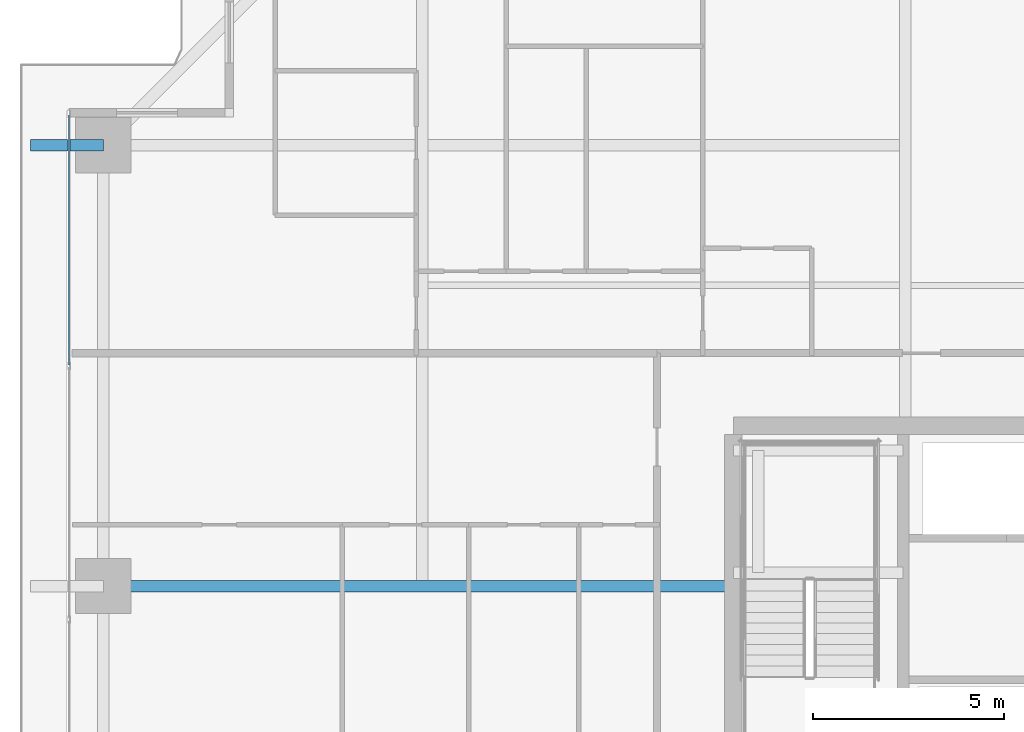
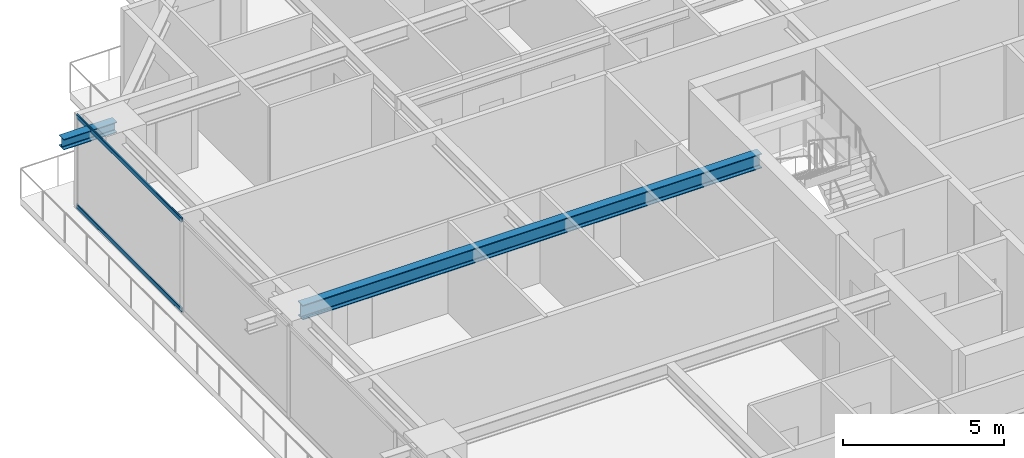
# One storey, part 17 of 39: 2 beams, 2 members, 1 element without a shape of its own.
"""IFC4 building model written with IfcOpenShell, lengths in metres."""

import ifcopenshell
import ifcopenshell.guid

model = None  # the IFC model being written
_history = None  # IfcOwnerHistory: only IFC2X3 demands one
_inside = {}  # id of a spatial element -> (the spatial element, [elements in it])
_under = {}  # id of a project, library or spatial element -> (it, [spatial elements below it])
_declared = {}  # id of a project -> (the project, [libraries it declares])
_typed = {}  # id of a type object -> (the type object, [elements of that type])
_made_of = {}  # id of a material, layer set ... -> (it, [elements and type objects made of it])


def new_model(schema):
    """Start an empty IFC model of exactly this schema.

    Asked for "IFC4X3", IfcOpenShell would pick the latest addendum, in which some entities
    have other attributes; the version numbers below select the first issue.
    IFC2X3 requires an IfcOwnerHistory on every rooted entity: one is made here for all.
    """
    global model, _history
    if schema == "IFC4X3":
        model = ifcopenshell.file(schema_version=(4, 3, 0, 0))
    else:
        model = ifcopenshell.file(schema=schema)
    _inside.clear()
    _under.clear()
    _declared.clear()
    _typed.clear()
    _made_of.clear()
    _history = None
    if model.schema == "IFC2X3":
        org = make("IfcOrganization", Name="unknown")
        user = make(
            "IfcPersonAndOrganization",
            ThePerson=make("IfcPerson", FamilyName="unknown"),
            TheOrganization=org,
        )
        app = make(
            "IfcApplication",
            ApplicationDeveloper=org,
            Version="unknown",
            ApplicationFullName="unknown",
            ApplicationIdentifier="unknown",
        )
        _history = make(
            "IfcOwnerHistory",
            OwningUser=user,
            OwningApplication=app,
            ChangeAction="ADDED",
            CreationDate=0,
        )
    return model


def make(cls, **values):
    """One entity of the class cls with the attributes given. An attribute that is None is left unset."""
    return model.create_entity(
        cls, **{name: value for name, value in values.items() if value is not None}
    )


def rooted(cls, **values):
    """An entity with a GlobalId (a new one), such as an element, a storey or a relation."""
    return make(cls, GlobalId=ifcopenshell.guid.new(), OwnerHistory=_history, **values)


def si_unit(unit_type, name, prefix=None):
    """IfcSIUnit, for example si_unit("LENGTHUNIT", "METRE", prefix="MILLI")."""
    return make("IfcSIUnit", UnitType=unit_type, Prefix=prefix, Name=name)


def assignment(units):
    """IfcUnitAssignment: the units of a project."""
    return None if units is None else make("IfcUnitAssignment", Units=units)


def point(xyz):
    """IfcCartesianPoint."""
    return None if xyz is None else make("IfcCartesianPoint", Coordinates=xyz)


def direction(xyz):
    """IfcDirection."""
    return None if xyz is None else make("IfcDirection", DirectionRatios=xyz)


def frame(location, z_axis=None, x_axis=None):
    """IfcAxis2Placement3D, a coordinate frame: its origin and axes. An axis left out is left unset."""
    return make(
        "IfcAxis2Placement3D",
        Location=point(location),
        Axis=direction(z_axis),
        RefDirection=direction(x_axis),
    )


def frame_2d(location, x_axis=None):
    """IfcAxis2Placement2D, a coordinate frame in the plane: its origin and x axis."""
    return make(
        "IfcAxis2Placement2D", Location=point(location), RefDirection=direction(x_axis)
    )


def origin():
    """The frame at (0, 0, 0) with its axes left unset."""
    return frame((0.0, 0.0, 0.0))


def origin_2d():
    """The frame at (0, 0) in the plane with its x axis left unset."""
    return frame_2d((0.0, 0.0))


def place(relative_to, where):
    """IfcLocalPlacement: puts the frame where relative to a parent placement (None: the world)."""
    return make(
        "IfcLocalPlacement", PlacementRelTo=relative_to, RelativePlacement=where
    )


def context(
    kind, dimensions, precision=None, world=None, true_north=None, identifier=None
):
    """IfcGeometricRepresentationContext, for example the 3D "Model" context."""
    return make(
        "IfcGeometricRepresentationContext",
        ContextIdentifier=identifier,
        ContextType=kind,
        CoordinateSpaceDimension=dimensions,
        Precision=precision,
        WorldCoordinateSystem=world,
        TrueNorth=true_north,
    )


def subcontext(parent, identifier, kind, view, scale=None):
    """IfcGeometricRepresentationSubContext, for example "Body" below "Model"."""
    return make(
        "IfcGeometricRepresentationSubContext",
        ContextIdentifier=identifier,
        ContextType=kind,
        ParentContext=parent,
        TargetScale=scale,
        TargetView=view,
    )


def project(units=None, contexts=None):
    """IfcProject with its units and contexts."""
    return rooted(
        "IfcProject",
        Name="project",
        RepresentationContexts=contexts,
        UnitsInContext=assignment(units),
    )


def spatial(cls, under=None, at=None, **own):
    """A site, building, storey or space (cls), placed at a placement, below another one or the project."""
    s = rooted(cls, ObjectPlacement=at, **own)
    if under is not None:
        _under.setdefault(under.id(), (under, []))[1].append(s)
    return s


def profile(cls, at=None, kind="AREA", **sizes):
    """A parametric profile (cls). Its sizes go by their IFC names, for example OverallWidth=200.0."""
    return make(cls, ProfileType=kind, Position=at, **sizes)


def hollow_rectangle(**sizes):
    """IfcRectangleHollowProfileDef."""
    return profile("IfcRectangleHollowProfileDef", **sizes)


def i_section(**sizes):
    """IfcIShapeProfileDef."""
    return profile("IfcIShapeProfileDef", **sizes)


def extrude(swept, where, along, depth):
    """IfcExtrudedAreaSolid: the profile swept, set in the frame where, extruded along a direction by depth."""
    return make(
        "IfcExtrudedAreaSolid",
        SweptArea=swept,
        Position=where,
        ExtrudedDirection=direction(along),
        Depth=depth,
    )


def shape(context_of_items, identifier, shape_type, items):
    """IfcShapeRepresentation: the items that make up one representation, for example the "Body"."""
    return make(
        "IfcShapeRepresentation",
        ContextOfItems=context_of_items,
        RepresentationIdentifier=identifier,
        RepresentationType=shape_type,
        Items=items,
    )


def source(mapping_origin, context_of_items, identifier, shape_type, items):
    """IfcRepresentationMap: a shape defined once, which mapped items show again and again."""
    return make(
        "IfcRepresentationMap",
        MappingOrigin=mapping_origin,
        MappedRepresentation=shape(context_of_items, identifier, shape_type, items),
    )


def transform(
    local_origin,
    x_axis=None,
    y_axis=None,
    z_axis=None,
    scale=None,
    scale2=None,
    scale3=None,
    uniform=True,
):
    """IfcCartesianTransformationOperator3D, or its non-uniform kind. x_axis, y_axis, z_axis: its Axis1, 2, 3."""
    if uniform:
        return make(
            "IfcCartesianTransformationOperator3D",
            Axis1=direction(x_axis),
            Axis2=direction(y_axis),
            LocalOrigin=point(local_origin),
            Scale=scale,
            Axis3=direction(z_axis),
        )
    return make(
        "IfcCartesianTransformationOperator3DnonUniform",
        Axis1=direction(x_axis),
        Axis2=direction(y_axis),
        LocalOrigin=point(local_origin),
        Scale=scale,
        Axis3=direction(z_axis),
        Scale2=scale2,
        Scale3=scale3,
    )


def mapped(mapping_source, mapping_target):
    """IfcMappedItem: shows the shape of a source again, moved by a transform."""
    return make(
        "IfcMappedItem", MappingSource=mapping_source, MappingTarget=mapping_target
    )


def material(Name=None, Category=None):
    """IfcMaterial."""
    return make("IfcMaterial", Name=Name, Category=Category)


def layer(
    of_material, thickness, ventilated=None, Name=None, Category=None, Priority=None
):
    """IfcMaterialLayer: one layer of a wall or slab, of a material (None: an air gap)."""
    return make(
        "IfcMaterialLayer",
        Material=of_material,
        LayerThickness=thickness,
        IsVentilated=ventilated,
        Name=Name,
        Category=Category,
        Priority=Priority,
    )


def layer_set(layers, Name=None):
    """IfcMaterialLayerSet."""
    return make("IfcMaterialLayerSet", MaterialLayers=layers, LayerSetName=Name)


def material_profile(
    of_material, cross_section, Name=None, Category=None, Priority=None
):
    """IfcMaterialProfile: a cross section and its material."""
    return make(
        "IfcMaterialProfile",
        Name=Name,
        Material=of_material,
        Profile=cross_section,
        Priority=Priority,
        Category=Category,
    )


def profile_set(profiles, Name=None, composite=None):
    """IfcMaterialProfileSet."""
    return make(
        "IfcMaterialProfileSet",
        Name=Name,
        MaterialProfiles=profiles,
        CompositeProfile=composite,
    )


def made_of(thing, what):
    """Note that an element or type object is made of a material, layer set ...; save() writes the relation."""
    if what is not None:
        _made_of.setdefault(what.id(), (what, []))[1].append(thing)
    return thing


def type_object(cls, material=None, **own):
    """A type object (cls), such as IfcWallType, which elements share."""
    return made_of(rooted(cls, **own), material)


def element(
    cls,
    number,
    at=None,
    inside=None,
    cuts=None,
    type_object=None,
    material=None,
    context=None,
    identifier="Body",
    shape_type=None,
    held_by="IfcProductDefinitionShape",
    body=None,
    shapes=None,
    **own,
):
    """One element of the class cls, such as IfcWall. Its Tag is "e" and its number.

    at: its placement. inside: the storey or other place that contains it. cuts: it is an
    opening in that element (IfcRelVoidsElement). A single representation is given by context,
    identifier, shape_type and body (its items); several are given by shapes. held_by: the class
    of the entity that holds the representations. save() writes the other relations.
    """
    e = rooted(cls, Tag="e%d" % number, ObjectPlacement=at, **own)
    if body is not None:
        shapes = [shape(context, identifier, shape_type, body)]
    if shapes is not None:
        e.Representation = make(held_by, Representations=shapes)
    if inside is not None:
        _inside.setdefault(inside.id(), (inside, []))[1].append(e)
    if cuts is not None:
        rooted(
            "IfcRelVoidsElement", RelatingBuildingElement=cuts, RelatedOpeningElement=e
        )
    if type_object is not None:
        _typed.setdefault(type_object.id(), (type_object, []))[1].append(e)
    return made_of(e, material)


def aggregate(whole, parts):
    """IfcRelAggregates: a whole, such as a stair, and the parts it consists of."""
    return rooted("IfcRelAggregates", RelatingObject=whole, RelatedObjects=parts)


def save(model, path):
    """Write the relations noted so far, then the file.

    IfcRelAggregates (storeys below a building ...), IfcRelContainedInSpatialStructure (elements
    in a storey), IfcRelDefinesByType, IfcRelAssociatesMaterial and IfcRelDeclares: one each for
    every whole, place, type object, material and project.
    """
    for whole, parts in _under.values():
        aggregate(whole, parts)
    for where, things in _inside.values():
        rooted(
            "IfcRelContainedInSpatialStructure",
            RelatedElements=things,
            RelatingStructure=where,
        )
    for kind, things in _typed.values():
        rooted("IfcRelDefinesByType", RelatedObjects=things, RelatingType=kind)
    for what, things in _made_of.values():
        rooted("IfcRelAssociatesMaterial", RelatedObjects=things, RelatingMaterial=what)
    for by, libraries in _declared.values():
        rooted("IfcRelDeclares", RelatingContext=by, RelatedDefinitions=libraries)
    model.write(path)


model = new_model("IFC4")

# Units and contexts
model_context = context("Model", 3, precision=1e-05, world=origin(), true_north=direction((0.0, 1.0)))
body_context = subcontext(model_context, "Body", "Model", "MODEL_VIEW")
ifc_project = project(units=[si_unit("LENGTHUNIT", "METRE"), si_unit("AREAUNIT", "SQUARE_METRE"), si_unit("VOLUMEUNIT", "CUBIC_METRE"), si_unit("PLANEANGLEUNIT", "RADIAN"), si_unit("MASSUNIT", "GRAM", prefix="KILO")], contexts=[model_context])

# Site, building, storey
site_placement = place(None, origin())
site = spatial("IfcSite", under=ifc_project, at=site_placement, CompositionType="ELEMENT")
building_placement = place(site_placement, origin())
building = spatial("IfcBuilding", under=site, at=building_placement, Name="Serunith Strait Residences", CompositionType="ELEMENT")
storey_placement = place(building_placement, frame((0.0, 0.0, 64.199951171875)))
storey = spatial("IfcBuildingStorey", under=building, at=storey_placement, Name="L15", CompositionType="ELEMENT", Elevation=64.199951171875)

# Beams
ifc_material_1 = material(Name="Steel S355J2", Category="steel")
ifc_material_profile_1 = material_profile(ifc_material_1, i_section(OverallWidth=0.300048828125, OverallDepth=0.550048828125, WebThickness=0.014892578125, FlangeThickness=0.029052734375, FilletRadius=0.027099609375, at=origin_2d()), Name="HEB 550")
ifc_profile_set_1 = profile_set([ifc_material_profile_1], Name="Steel S355J2")
beam_type_1 = type_object("IfcBeamType", Name="BM-HEB550", PredefinedType="BEAM", material=ifc_profile_set_1)
shared_shape_1 = source(origin(), body_context, "Body", "SweptSolid", [
    extrude(i_section(OverallWidth=0.300048828125, OverallDepth=0.550048828125, WebThickness=0.014892578125, FlangeThickness=0.029052734375, FilletRadius=0.027099609375, at=origin_2d()), origin(), (0.0, 0.0, 1.0), 16.5),
])
beam_1_placement = place(storey_placement, frame((23.39990234375, 29.39990234375, 3.212158203125), z_axis=(-1.0, 0.0, 0.0), x_axis=(0.0, -1.0, 0.0)))
element("IfcBeam", 1, at=beam_1_placement, inside=storey, type_object=beam_type_1, Name="L15 Primary Floor Girder TC-W3", PredefinedType="BEAM", context=body_context, shape_type="MappedRepresentation", body=[
    mapped(shared_shape_1, transform((0.0, 0.0, 0.0), scale=1.0)),
])
ifc_material_profile_2 = material_profile(ifc_material_1, i_section(OverallWidth=0.300048828125, OverallDepth=0.39990234375, WebThickness=0.013427734375, FlangeThickness=0.02392578125, FilletRadius=0.027099609375, at=origin_2d()), Name="HEB 400")
ifc_profile_set_2 = profile_set([ifc_material_profile_2], Name="Steel S355J2")
beam_type_2 = type_object("IfcBeamType", Name="BM-HEB400", PredefinedType="BEAM", material=ifc_profile_set_2)
shared_shape_2 = source(origin(), body_context, "Body", "SweptSolid", [
    extrude(i_section(OverallWidth=0.300048828125, OverallDepth=0.39990234375, WebThickness=0.013427734375, FlangeThickness=0.02392578125, FilletRadius=0.027099609375, at=origin_2d()), origin(), (0.0, 0.0, 1.0), 1.909912109375),
])
beam_2_placement = place(storey_placement, frame((6.89990234375, 40.949951171875, 3.257080078125), z_axis=(-1.0, 0.0, 0.0), x_axis=(0.0, -1.0, 0.0)))
element("IfcBeam", 2, at=beam_2_placement, inside=storey, type_object=beam_type_2, Name="L16 Cantilevered Balcony Rib TC-W4", PredefinedType="BEAM", context=body_context, shape_type="MappedRepresentation", body=[
    mapped(shared_shape_2, transform((0.0, 0.0, 0.0), scale=1.0)),
])

# Curtain wall, members
ifc_material_2 = material(Name="Pale-Champagne Anodised Aluminium", Category="aluminium")
ifc_layer = layer(ifc_material_2, 0.199951171875, Name="Pale-Champagne Anodised Aluminium")
ifc_layer_set = layer_set([ifc_layer], Name="Pale-Champagne Anodised Aluminium")
curtain_wall_type = type_object("IfcCurtainWallType", Name="CW-SYS1", PredefinedType="NOTDEFINED", material=ifc_layer_set)
curtain_wall_placement = place(storey_placement, origin())
curtain_wall = element("IfcCurtainWall", 3, at=curtain_wall_placement, inside=storey, type_object=curtain_wall_type, Name="L15 W Unitised Fritted Curtain Wall", PredefinedType="NOTDEFINED")
ifc_material_profile_3 = material_profile(ifc_material_2, hollow_rectangle(XDim=0.06005859375, YDim=0.159912109375, WallThickness=0.00341796875, InnerFilletRadius=0.00537109375, OuterFilletRadius=0.0087890625, at=origin_2d()), Name="ALU 160x60x3.5")
ifc_profile_set_3 = profile_set([ifc_material_profile_3], Name="Pale-Champagne Anodised Aluminium")
member_type = type_object("IfcMemberType", Name="CW-SYS1-TRAN", PredefinedType="USERDEFINED", material=ifc_profile_set_3)
shared_shape_3 = source(origin(), body_context, "Body", "SweptSolid", [
    extrude(hollow_rectangle(XDim=0.06005859375, YDim=0.159912109375, WallThickness=0.00341796875, InnerFilletRadius=0.00537109375, OuterFilletRadius=0.0087890625, at=origin_2d()), origin(), (0.0, 0.0, 1.0), 6.534912109375),
])
member_1_placement = place(storey_placement, frame((6.0, 41.72998046875, 0.030029296875), z_axis=(0.0, -1.0, 0.0), x_axis=(1.0, 0.0, 0.0)))
member_1 = element("IfcMember", 4, at=member_1_placement, type_object=member_type, Name="CW-1 transom 1.1", ObjectType="TRANSOM", PredefinedType="USERDEFINED", context=body_context, shape_type="MappedRepresentation", body=[
    mapped(shared_shape_3, transform((0.0, 0.0, 0.0), scale=1.0)),
])
member_2_placement = place(storey_placement, frame((6.0, 41.72998046875, 3.445068359375), z_axis=(0.0, -1.0, 0.0), x_axis=(1.0, 0.0, 0.0)))
member_2 = element("IfcMember", 5, at=member_2_placement, type_object=member_type, Name="CW-1 transom 1.2", ObjectType="TRANSOM", PredefinedType="USERDEFINED", context=body_context, shape_type="MappedRepresentation", body=[
    mapped(shared_shape_3, transform((0.0, 0.0, 0.0), scale=1.0)),
])
aggregate(curtain_wall, [member_1, member_2])

save(model, "model.ifc")
